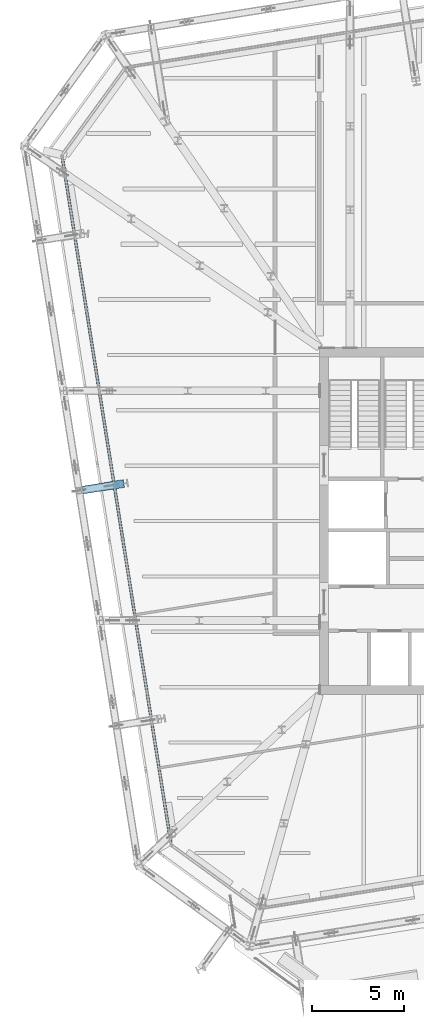
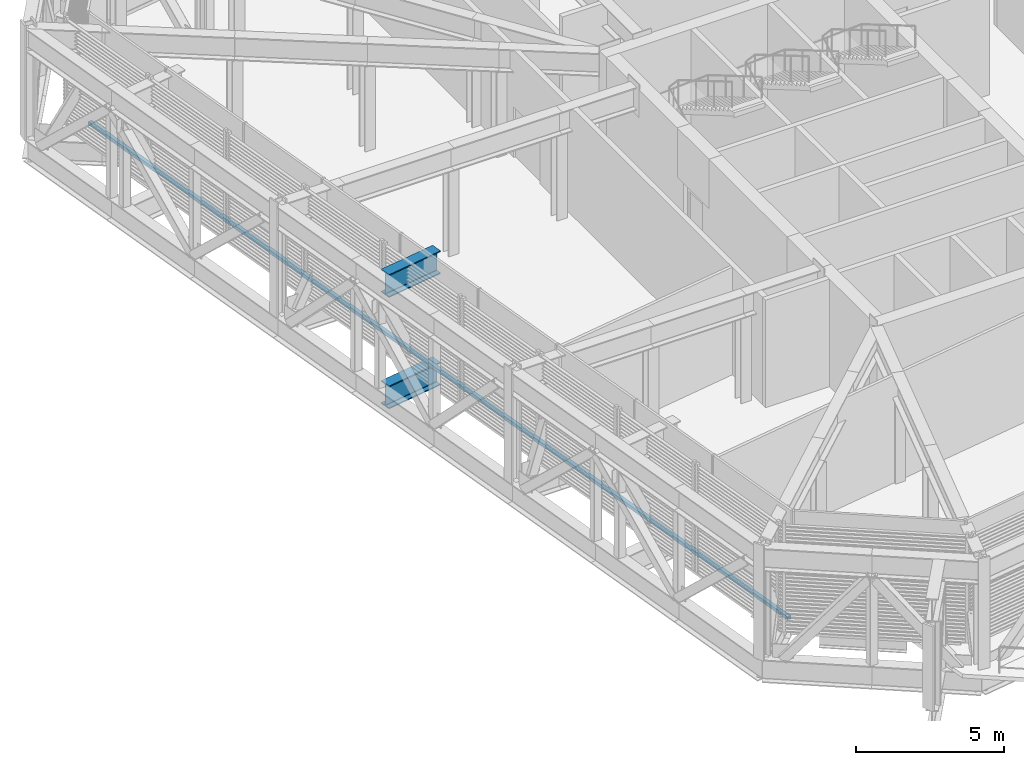
# One storey, part 6 of 35: 2 beams, 1 member, 1 element without a shape of its own.
"""IFC4 building model written with IfcOpenShell, lengths in metres."""

from ifc_helpers import new_model, si_unit, direction, frame, origin, origin_2d, place, context, subcontext, project, spatial, rectangle, i_section, extrude, material, layer, layer_set, material_profile, profile_set, type_object, element, aggregate, save


model = new_model("IFC4")

# Units and contexts
model_context = context("Model", 3, precision=1e-05, world=origin(), true_north=direction((0.0, 1.0)))
body_context = subcontext(model_context, "Body", "Model", "MODEL_VIEW")
ifc_project = project(units=[si_unit("LENGTHUNIT", "METRE"), si_unit("AREAUNIT", "SQUARE_METRE"), si_unit("VOLUMEUNIT", "CUBIC_METRE"), si_unit("PLANEANGLEUNIT", "RADIAN"), si_unit("MASSUNIT", "GRAM", prefix="KILO")], contexts=[model_context])

# Site, building, storey
site_placement = place(None, origin())
site = spatial("IfcSite", under=ifc_project, at=site_placement, CompositionType="ELEMENT")
building_placement = place(site_placement, origin())
building = spatial("IfcBuilding", under=site, at=building_placement, Name="Millrace Tower", CompositionType="ELEMENT")
storey_placement = place(building_placement, frame((0.0, 0.0, 200.10009765625)))
storey = spatial("IfcBuildingStorey", under=building, at=storey_placement, Name="L45", CompositionType="ELEMENT", Elevation=200.10009765625)

# Curtain wall, member
ifc_material_1 = material(Name="Aluminium and glass", Category="aluminium")
ifc_layer = layer(ifc_material_1, 0.14990234375)
ifc_layer_set = layer_set([ifc_layer], Name="Aluminium and glass")
curtain_wall_type = type_object("IfcCurtainWallType", Name="CW-5 truss and plant storey louvred infill", PredefinedType="NOTDEFINED", material=ifc_layer_set)
curtain_wall_placement = place(storey_placement, origin())
curtain_wall = element("IfcCurtainWall", 1, at=curtain_wall_placement, inside=storey, type_object=curtain_wall_type, Name="Curtain wall D-F08 L45", PredefinedType="NOTDEFINED")
ifc_material_2 = material(Name="Aluminium", Category="aluminium")
ifc_material_profile_1 = material_profile(ifc_material_2, rectangle(XDim=0.14990234375, YDim=0.139892578125, at=origin_2d()))
ifc_profile_set_1 = profile_set([ifc_material_profile_1], Name="Aluminium")
member_type = type_object("IfcMemberType", Name="CW-5 truss and plant storey louvred infill transom", PredefinedType="USERDEFINED", material=ifc_profile_set_1)
member_placement = place(storey_placement, frame((-28.331787109375, 19.708740234375, 0.06982421875), z_axis=(0.156432359726, -0.987688674042, 0.0), x_axis=(0.987688674042, 0.156432359726, 0.0)))
member = element("IfcMember", 2, at=member_placement, type_object=member_type, Name="CW5 transom D-F08.1", ObjectType="TRANSOM", PredefinedType="USERDEFINED", context=body_context, shape_type="SweptSolid", body=[
    extrude(rectangle(XDim=0.14990234375, YDim=0.139892578125, at=origin_2d()), origin(), (0.0, 0.0, 1.0), 37.599853515625),
])
aggregate(curtain_wall, [member])

# Beams
ifc_material_3 = material(Name="Steel ASTM A992 Grade 50", Category="steel")
ifc_material_profile_2 = material_profile(ifc_material_3, i_section(OverallWidth=0.424072265625, OverallDepth=0.947509765625, WebThickness=0.02392578125, FlangeThickness=0.042724609375, FilletRadius=0.024169921875, at=origin_2d()))
ifc_profile_set_2 = profile_set([ifc_material_profile_2], Name="Steel ASTM A992 Grade 50")
beam_type = type_object("IfcBeamType", Name="Transfer truss chord W36x302", PredefinedType="BEAM", material=ifc_profile_set_2)
for number, where, z_axis, x_axis, name in (
    (3, (-24.9951171875, 2.031494140625, -0.6337890625), (-0.987694037204, -0.156398493825, 0.0), (0.156398493825, -0.987694037204, 0.0), "TRS-L45-B-C-X15-B01"),
    (4, (-24.9951171875, 2.031494140625, 3.96630859375), (-0.987694037204, -0.156398493825, 0.0), (0.156398493825, -0.987694037204, 0.0), "TRS-L45-B-C-X15-T01"),
):
    element("IfcBeam", number, at=place(storey_placement, frame(where, z_axis=z_axis, x_axis=x_axis)), inside=storey, type_object=beam_type, Name=name, PredefinedType="BEAM", context=body_context, shape_type="SweptSolid", body=[
        extrude(i_section(OverallWidth=0.424072265625, OverallDepth=0.947509765625, WebThickness=0.02392578125, FlangeThickness=0.042724609375, FilletRadius=0.024169921875, at=origin_2d()), origin(), (0.0, 0.0, 1.0), 2.2431640625),
    ])

save(model, "model.ifc")
